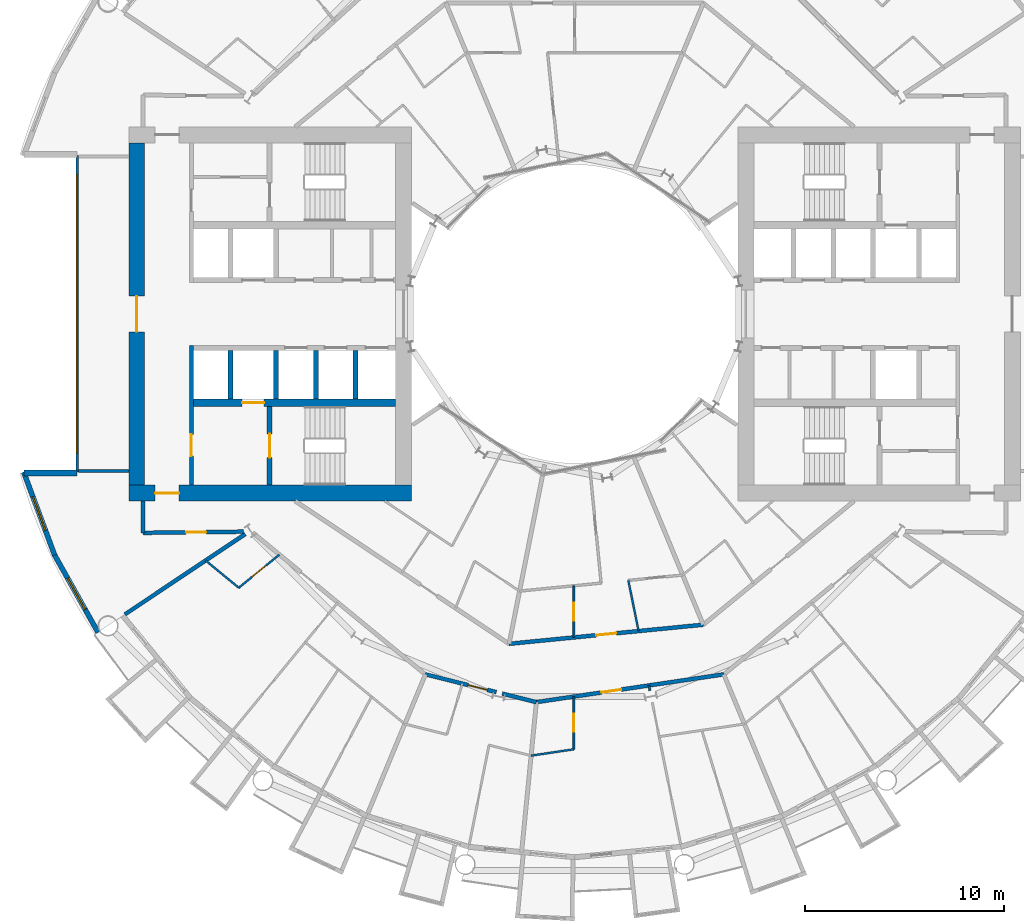
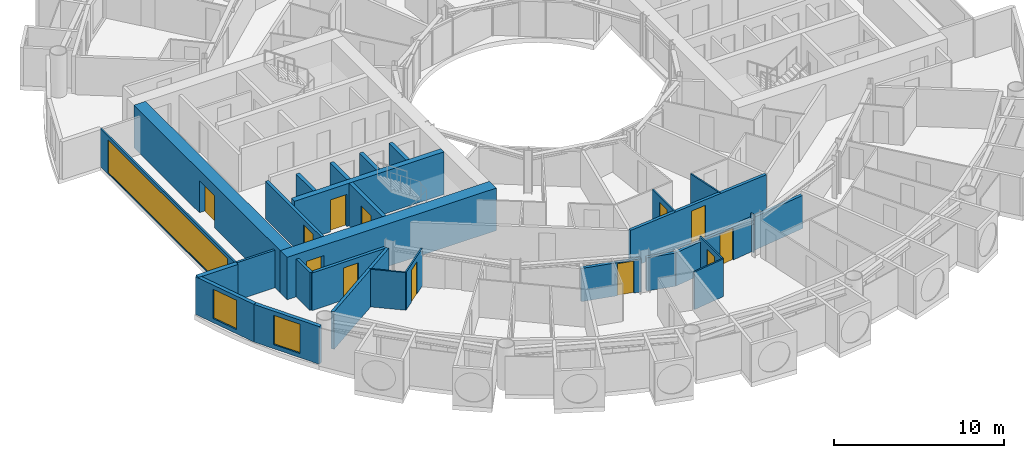
# One storey, part 14 of 26: 28 walls, 12 doors, 3 windows, 15 openings.
"""IFC4 building model written with IfcOpenShell, lengths in metres."""

from ifc_helpers import new_model, si_unit, direction, frame, frame_2d, origin, place, context, subcontext, project, spatial, rectangle, extrude, material, layer, layer_set, type_object, element, fill, save


model = new_model("IFC4")

# Units and contexts
model_context = context("Model", 3, precision=1e-05, world=origin(), true_north=direction((0.0, 1.0)))
body_context = subcontext(model_context, "Body", "Model", "MODEL_VIEW")
ifc_project = project(units=[si_unit("LENGTHUNIT", "METRE"), si_unit("AREAUNIT", "SQUARE_METRE"), si_unit("VOLUMEUNIT", "CUBIC_METRE"), si_unit("PLANEANGLEUNIT", "RADIAN"), si_unit("MASSUNIT", "GRAM", prefix="KILO")], contexts=[model_context])

# Site, building, storey
site_placement = place(None, origin())
site = spatial("IfcSite", under=ifc_project, at=site_placement, CompositionType="ELEMENT")
building_placement = place(site_placement, origin())
building = spatial("IfcBuilding", under=site, at=building_placement, Name="Maasbend Ring Residences", CompositionType="ELEMENT")
storey_placement = place(building_placement, frame((0.0, 0.0, 35.0)))
storey = spatial("IfcBuildingStorey", under=building, at=storey_placement, Name="L09", CompositionType="ELEMENT", Elevation=35.0)

# Wall, opening, door
ifc_material_1 = material(Name="Concrete C70/85", Category="concrete")
ifc_layer_1 = layer(ifc_material_1, 0.25)
ifc_layer_set_1 = layer_set([ifc_layer_1], Name="Concrete C70/85")
wall_type_1 = type_object("IfcWallType", Name="CORE WALL 250 C70/85", PredefinedType="SHEAR", material=ifc_layer_set_1)
wall_1_placement = place(storey_placement, frame((-15.324951171875, -4.64990234375, 0.0), z_axis=(0.0, 0.0, 1.0), x_axis=(0.0, -1.0, 0.0)))
wall_1 = element("IfcWall", 1, at=wall_1_placement, inside=storey, type_object=wall_type_1, Name="L09 core W wall STEN", PredefinedType="SHEAR", context=body_context, shape_type="SweptSolid", body=[
    extrude(rectangle(XDim=3.9501953125, YDim=0.25, at=frame_2d((1.97509765625, 0.0))), origin(), (0.0, 0.0, 1.0), 3.050048828125),
])
opening_1_placement = place(wall_1_placement, frame((1.375, 0.0, 0.0)))
opening_1 = element("IfcOpeningElement", 2, at=opening_1_placement, cuts=wall_1, Name="Opening D-W0910", PredefinedType="OPENING", context=body_context, shape_type="SweptSolid", body=[
    extrude(rectangle(XDim=1.199951171875, YDim=2.300048828125, at=frame_2d((0.60009765625, 1.14990234375))), frame((0.0, 0.135009765625, 0.0), z_axis=(0.0, -1.0, 0.0), x_axis=(1.0, 0.0, 0.0)), (0.0, 0.0, 1.0), 0.27001953125),
])
ifc_material_2 = material(Name="Steel, powder coated", Category="steel")
door_type_1 = type_object("IfcDoorType", Name="STAIR DOOR 1200 X 2300 FD60", OperationType="NOTDEFINED", PredefinedType="DOOR", material=ifc_material_2)
door_1_placement = place(opening_1_placement, origin())
door_1 = element("IfcDoor", 3, at=door_1_placement, inside=storey, type_object=door_type_1, Name="Stair door ST-W L09", OperationType="SINGLE_SWING_LEFT", OverallHeight=2.300048828125, OverallWidth=1.199951171875, PredefinedType="DOOR", context=body_context, shape_type="SweptSolid", body=[
    extrude(rectangle(XDim=1.199951171875, YDim=2.300048828125, at=frame_2d((0.60009765625, 1.14990234375))), frame((0.0, 0.02490234375, 0.0), z_axis=(0.0, -1.0, 0.0), x_axis=(1.0, 0.0, 0.0)), (0.0, 0.0, 1.0), 0.050048828125),
])
fill(opening_1, door_1)

ifc_material_3 = material(Name="Concrete C70/85", Category="concrete")
ifc_layer_2 = layer(ifc_material_3, 0.375)
ifc_layer_set_2 = layer_set([ifc_layer_2], Name="Concrete C70/85")
wall_type_2 = type_object("IfcWallType", Name="CORE WALL 375 C70/85", PredefinedType="SHEAR", material=ifc_layer_set_2)
wall_2_placement = place(storey_placement, frame((-9.0, -4.46240234375, 0.0), z_axis=(0.0, 0.0, 1.0), x_axis=(-1.0, 0.0, 0.0)))
wall_2 = element("IfcWall", 4, at=wall_2_placement, inside=storey, type_object=wall_type_2, Name="L09 core W wall BN", PredefinedType="SHEAR", context=body_context, shape_type="SweptSolid", body=[
    extrude(rectangle(XDim=10.14990234375, YDim=0.375, at=frame_2d((5.074951171875, 0.0))), origin(), (0.0, 0.0, 1.0), 3.050048828125),
])
opening_2_placement = place(wall_2_placement, frame((6.60009765625, 0.0, 0.0)))
opening_2 = element("IfcOpeningElement", 5, at=opening_2_placement, cuts=wall_2, Name="Opening LD-W0904", PredefinedType="OPENING", context=body_context, shape_type="SweptSolid", body=[
    extrude(rectangle(XDim=1.10009765625, YDim=2.300048828125, at=frame_2d((0.550048828125, 1.14990234375))), frame((0.0, 0.197509765625, 0.0), z_axis=(0.0, -1.0, 0.0), x_axis=(1.0, 0.0, 0.0)), (0.0, 0.0, 1.0), 0.39501953125),
])
ifc_material_4 = material(Name="Stainless steel 316", Category="steel")
door_type_2 = type_object("IfcDoorType", Name="LANDING DOOR 1100 X 2300 FD60", OperationType="DOUBLE_DOOR_SLIDING", PredefinedType="DOOR", material=ifc_material_4)
door_2_placement = place(opening_2_placement, origin())
door_2 = element("IfcDoor", 6, at=door_2_placement, inside=storey, type_object=door_type_2, Name="Landing door FF-W L09", OperationType="DOUBLE_DOOR_SLIDING", OverallHeight=2.300048828125, OverallWidth=1.10009765625, PredefinedType="DOOR", context=body_context, shape_type="SweptSolid", body=[
    extrude(rectangle(XDim=1.10009765625, YDim=2.300048828125, at=frame_2d((0.550048828125, 1.14990234375))), frame((0.0, 0.02490234375, 0.0), z_axis=(0.0, -1.0, 0.0), x_axis=(1.0, 0.0, 0.0)), (0.0, 0.0, 1.0), 0.050048828125),
])
fill(opening_2, door_2)

ifc_material_5 = material(Name="Concrete C70/85", Category="concrete")
ifc_layer_3 = layer(ifc_material_5, 0.800048828125)
ifc_layer_set_3 = layer_set([ifc_layer_3], Name="Concrete C70/85")
wall_type_3 = type_object("IfcWallType", Name="CORE WALL 800 C70/85", PredefinedType="SHEAR", material=ifc_layer_set_3)
wall_3_placement = place(storey_placement, frame((-22.39990234375, -9.0, 0.0), z_axis=(0.0, 0.0, 1.0), x_axis=(1.0, 0.0, 0.0)))
wall_3 = element("IfcWall", 7, at=wall_3_placement, inside=storey, type_object=wall_type_3, Name="L09 core W wall PN", PredefinedType="SHEAR", context=body_context, shape_type="SweptSolid", body=[
    extrude(rectangle(XDim=14.199951171875, YDim=0.800048828125, at=frame_2d((7.10009765625, 0.0))), origin(), (0.0, 0.0, 1.0), 3.050048828125),
])
opening_3_placement = place(wall_3_placement, frame((1.324951171875, 0.0, 0.0)))
opening_3 = element("IfcOpeningElement", 8, at=opening_3_placement, cuts=wall_3, Name="Opening D-W0914", PredefinedType="OPENING", context=body_context, shape_type="SweptSolid", body=[
    extrude(rectangle(XDim=1.199951171875, YDim=2.300048828125, at=frame_2d((0.60009765625, 1.14990234375))), frame((0.0, 0.41015625, 0.0), z_axis=(0.0, -1.0, 0.0), x_axis=(1.0, 0.0, 0.0)), (0.0, 0.0, 1.0), 0.820068359375),
])
ifc_material_6 = material(Name="Steel, powder coated", Category="steel")
door_type_3 = type_object("IfcDoorType", Name="CORRIDOR DOOR 1200 X 2300 FD30S", OperationType="NOTDEFINED", PredefinedType="DOOR", material=ifc_material_6)
door_3_placement = place(opening_3_placement, origin())
door_3 = element("IfcDoor", 9, at=door_3_placement, inside=storey, type_object=door_type_3, Name="Corridor door L09", OperationType="SINGLE_SWING_RIGHT", OverallHeight=2.300048828125, OverallWidth=1.199951171875, PredefinedType="DOOR", context=body_context, shape_type="SweptSolid", body=[
    extrude(rectangle(XDim=1.199951171875, YDim=2.300048828125, at=frame_2d((0.60009765625, 1.14990234375))), frame((0.0, 0.02490234375, 0.0), z_axis=(0.0, -1.0, 0.0), x_axis=(1.0, 0.0, 0.0)), (0.0, 0.0, 1.0), 0.050048828125),
])
fill(opening_3, door_3)

wall_4_placement = place(storey_placement, frame((-22.0, -8.60009765625, 0.0), z_axis=(0.0, 0.0, 1.0), x_axis=(0.0, 1.0, 0.0)))
wall_4 = element("IfcWall", 10, at=wall_4_placement, inside=storey, type_object=wall_type_3, Name="L09 core W wall POUT", PredefinedType="SHEAR", context=body_context, shape_type="SweptSolid", body=[
    extrude(rectangle(XDim=17.2001953125, YDim=0.800048828125, at=frame_2d((8.60009765625, 0.0))), origin(), (0.0, 0.0, 1.0), 3.050048828125),
])
opening_4_placement = place(wall_4_placement, frame((7.699951171875, 0.0, 0.0)))
opening_4 = element("IfcOpeningElement", 11, at=opening_4_placement, cuts=wall_4, Name="Opening D-W0916", PredefinedType="OPENING", context=body_context, shape_type="SweptSolid", body=[
    extrude(rectangle(XDim=1.800048828125, YDim=2.300048828125, at=frame_2d((0.89990234375, 1.14990234375))), frame((0.0, 0.41015625, 0.0), z_axis=(0.0, -1.0, 0.0), x_axis=(1.0, 0.0, 0.0)), (0.0, 0.0, 1.0), 0.820068359375),
])
ifc_material_7 = material(Name="Aluminium frame, clear glass", Category="aluminium")
door_type_4 = type_object("IfcDoorType", Name="ENTRANCE DOOR 1800 X 2300 FD60", OperationType="NOTDEFINED", PredefinedType="DOOR", material=ifc_material_7)
door_4_placement = place(opening_4_placement, origin())
door_4 = element("IfcDoor", 12, at=door_4_placement, inside=storey, type_object=door_type_4, Name="Lobby glazed door L09", OperationType="SINGLE_SWING_LEFT", OverallHeight=2.300048828125, OverallWidth=1.800048828125, PredefinedType="DOOR", context=body_context, shape_type="SweptSolid", body=[
    extrude(rectangle(XDim=1.800048828125, YDim=2.300048828125, at=frame_2d((0.89990234375, 1.14990234375))), frame((0.0, 0.02490234375, 0.0), z_axis=(0.0, -1.0, 0.0), x_axis=(1.0, 0.0, 0.0)), (0.0, 0.0, 1.0), 0.050048828125),
])
fill(opening_4, door_4)

ifc_material_8 = material(Name="Concrete C30/37", Category="concrete")
ifc_layer_4 = layer(ifc_material_8, 0.199951171875)
ifc_layer_set_4 = layer_set([ifc_layer_4], Name="Concrete C30/37")
wall_type_4 = type_object("IfcWallType", Name="CORRIDOR WALL 200 CONCRETE", PredefinedType="PARTITIONING", material=ifc_layer_set_4)
wall_5_placement = place(storey_placement, frame((-7.5009765625, -18.10791015625, 0.0), z_axis=(0.0, 0.0, 1.0), x_axis=(0.970040840928, -0.242941900323, 0.0)))
wall_5 = element("IfcWall", 13, at=wall_5_placement, inside=storey, type_object=wall_type_4, Name="U-L09-w011", PredefinedType="PARTITIONING", context=body_context, shape_type="SweptSolid", body=[
    extrude(rectangle(XDim=3.676025390625, YDim=0.199951171875, at=frame_2d((1.837890625, 0.0))), origin(), (0.0, 0.0, 1.0), 2.3798828125),
])
opening_5_placement = place(wall_5_placement, frame((2.217041015625, 0.0, 0.0)))
opening_5 = element("IfcOpeningElement", 14, at=opening_5_placement, cuts=wall_5, Name="Opening D-0939", PredefinedType="OPENING", context=body_context, shape_type="SweptSolid", body=[
    extrude(rectangle(XDim=1.0, YDim=2.300048828125, at=frame_2d((0.5, 1.14990234375))), frame((0.0, 0.10986328125, 0.0), z_axis=(0.0, -1.0, 0.0), x_axis=(1.0, 0.0, 0.0)), (0.0, 0.0, 1.0), 0.219970703125),
])
ifc_material_9 = material(Name="Timber, fire-rated, painted", Category="wood")
door_type_5 = type_object("IfcDoorType", Name="FLAT ENTRANCE DOOR 1000 X 2300 FIRE-RATED", OperationType="NOTDEFINED", PredefinedType="DOOR", material=ifc_material_9)
door_5_placement = place(opening_5_placement, origin())
door_5 = element("IfcDoor", 15, at=door_5_placement, inside=storey, type_object=door_type_5, Name="D-0939", OperationType="SINGLE_SWING_RIGHT", OverallHeight=2.300048828125, OverallWidth=1.0, PredefinedType="DOOR", context=body_context, shape_type="SweptSolid", body=[
    extrude(rectangle(XDim=1.0, YDim=2.300048828125, at=frame_2d((0.5, 1.14990234375))), frame((0.0, 0.02490234375, 0.0), z_axis=(0.0, -1.0, 0.0), x_axis=(1.0, 0.0, 0.0)), (0.0, 0.0, 1.0), 0.050048828125),
])
fill(opening_5, door_5)

# Wall
wall_6_placement = place(storey_placement, frame((-3.638916015625, -19.075927734375, 0.0), z_axis=(0.0, 0.0, 1.0), x_axis=(0.970053237222, -0.242892397895, 0.0)))
element("IfcWall", 16, at=wall_6_placement, inside=storey, type_object=wall_type_4, Name="U-L09-w012", PredefinedType="PARTITIONING", context=body_context, shape_type="SweptSolid", body=[
    extrude(rectangle(XDim=1.77099609375, YDim=0.199951171875, at=frame_2d((0.885498046875, 0.0))), origin(), (0.0, 0.0, 1.0), 2.3798828125),
])

# Wall, opening, door
wall_7_placement = place(storey_placement, frame((-1.927001953125, -19.506103515625, 0.0), z_axis=(0.0, 0.0, 1.0), x_axis=(0.989181308547, 0.146698121399, 0.0)))
wall_7 = element("IfcWall", 17, at=wall_7_placement, inside=storey, type_object=wall_type_4, Name="U-L09-w013", PredefinedType="PARTITIONING", context=body_context, shape_type="SweptSolid", body=[
    extrude(rectangle(XDim=9.531005859375, YDim=0.199951171875, at=frame_2d((4.765625, 0.0))), origin(), (0.0, 0.0, 1.0), 2.3798828125),
])
opening_6_placement = place(wall_7_placement, frame((3.31591796875, 0.0, 0.0)))
opening_6 = element("IfcOpeningElement", 18, at=opening_6_placement, cuts=wall_7, Name="Opening D-0942", PredefinedType="OPENING", context=body_context, shape_type="SweptSolid", body=[
    extrude(rectangle(XDim=1.0, YDim=2.300048828125, at=frame_2d((0.5, 1.14990234375))), frame((0.0, 0.10986328125, 0.0), z_axis=(0.0, -1.0, 0.0), x_axis=(1.0, 0.0, 0.0)), (0.0, 0.0, 1.0), 0.219970703125),
])
door_6_placement = place(opening_6_placement, origin())
door_6 = element("IfcDoor", 19, at=door_6_placement, inside=storey, type_object=door_type_5, Name="D-0942", OperationType="SINGLE_SWING_LEFT", OverallHeight=2.300048828125, OverallWidth=1.0, PredefinedType="DOOR", context=body_context, shape_type="SweptSolid", body=[
    extrude(rectangle(XDim=1.0, YDim=2.300048828125, at=frame_2d((0.5, 1.14990234375))), frame((0.0, 0.02490234375, 0.0), z_axis=(0.0, -1.0, 0.0), x_axis=(1.0, 0.0, 0.0)), (0.0, 0.0, 1.0), 0.050048828125),
])
fill(opening_6, door_6)

wall_8_placement = place(storey_placement, frame((-3.297119140625, -16.574951171875, 0.0), z_axis=(0.0, 0.0, 1.0), x_axis=(0.995201860711, 0.097843019361, 0.0)))
wall_8 = element("IfcWall", 20, at=wall_8_placement, inside=storey, type_object=wall_type_4, Name="U-L09-w016", PredefinedType="PARTITIONING", context=body_context, shape_type="SweptSolid", body=[
    extrude(rectangle(XDim=9.811279296875, YDim=0.199951171875, at=frame_2d((4.90576171875, 0.0))), origin(), (0.0, 0.0, 1.0), 2.699951171875),
])
opening_7_placement = place(wall_8_placement, frame((4.406005859375, 0.0, 0.0)))
opening_7 = element("IfcOpeningElement", 21, at=opening_7_placement, cuts=wall_8, Name="Opening D-0957", PredefinedType="OPENING", context=body_context, shape_type="SweptSolid", body=[
    extrude(rectangle(XDim=1.0, YDim=2.300048828125, at=frame_2d((0.5, 1.14990234375))), frame((0.0, 0.10986328125, 0.0), z_axis=(0.0, -1.0, 0.0), x_axis=(1.0, 0.0, 0.0)), (0.0, 0.0, 1.0), 0.219970703125),
])
door_7_placement = place(opening_7_placement, origin())
door_7 = element("IfcDoor", 22, at=door_7_placement, inside=storey, type_object=door_type_5, Name="D-0957", OperationType="SINGLE_SWING_RIGHT", OverallHeight=2.300048828125, OverallWidth=1.0, PredefinedType="DOOR", context=body_context, shape_type="SweptSolid", body=[
    extrude(rectangle(XDim=1.0, YDim=2.300048828125, at=frame_2d((0.5, 1.14990234375))), frame((0.0, 0.02490234375, 0.0), z_axis=(0.0, -1.0, 0.0), x_axis=(1.0, 0.0, 0.0)), (0.0, 0.0, 1.0), 0.050048828125),
])
fill(opening_7, door_7)

wall_9_placement = place(storey_placement, frame((-21.675048828125, -11.0, 0.0), z_axis=(0.0, 0.0, 1.0), x_axis=(0.999928980998, 0.011917758204, 0.0)))
wall_9 = element("IfcWall", 23, at=wall_9_placement, inside=storey, type_object=wall_type_4, Name="U-L09-w025", PredefinedType="PARTITIONING", context=body_context, shape_type="SweptSolid", body=[
    extrude(rectangle(XDim=5.039306640625, YDim=0.199951171875, at=frame_2d((2.51953125, 0.0))), origin(), (0.0, 0.0, 1.0), 2.699951171875),
])
opening_8_placement = place(wall_9_placement, frame((2.154052734375, 0.0, 0.0)))
opening_8 = element("IfcOpeningElement", 24, at=opening_8_placement, cuts=wall_9, Name="Opening D-0965", PredefinedType="OPENING", context=body_context, shape_type="SweptSolid", body=[
    extrude(rectangle(XDim=1.0, YDim=2.300048828125, at=frame_2d((0.5, 1.14990234375))), frame((0.0, 0.10986328125, 0.0), z_axis=(0.0, -1.0, 0.0), x_axis=(1.0, 0.0, 0.0)), (0.0, 0.0, 1.0), 0.219970703125),
])
ifc_material_10 = material(Name="Timber, painted", Category="wood")
door_type_6 = type_object("IfcDoorType", Name="ROOM DOOR 1000 X 2300", OperationType="NOTDEFINED", PredefinedType="DOOR", material=ifc_material_10)
door_8_placement = place(opening_8_placement, origin())
door_8 = element("IfcDoor", 25, at=door_8_placement, inside=storey, type_object=door_type_6, Name="D-0965", OperationType="SINGLE_SWING_RIGHT", OverallHeight=2.300048828125, OverallWidth=1.0, PredefinedType="DOOR", context=body_context, shape_type="SweptSolid", body=[
    extrude(rectangle(XDim=1.0, YDim=2.300048828125, at=frame_2d((0.5, 1.14990234375))), frame((0.0, 0.02490234375, 0.0), z_axis=(0.0, -1.0, 0.0), x_axis=(1.0, 0.0, 0.0)), (0.0, 0.0, 1.0), 0.050048828125),
])
fill(opening_8, door_8)

# Wall
wall_10_placement = place(storey_placement, frame((-21.675048828125, -11.0, 0.0), z_axis=(0.0, 0.0, 1.0), x_axis=(0.0, 1.0, 0.0)))
element("IfcWall", 26, at=wall_10_placement, inside=storey, type_object=wall_type_4, Name="U-L09-w115", PredefinedType="PARTITIONING", context=body_context, shape_type="SweptSolid", body=[
    extrude(rectangle(XDim=1.60009765625, YDim=0.199951171875, at=frame_2d((0.800048828125, 0.0))), origin(), (0.0, 0.0, 1.0), 2.699951171875),
])

# Wall, opening, window
ifc_material_11 = material(Name="Aluminium clad insulated panel", Category="aluminium")
ifc_layer_5 = layer(ifc_material_11, 0.25)
ifc_layer_set_5 = layer_set([ifc_layer_5], Name="EW-HORN")
wall_type_5 = type_object("IfcWallType", Name="EW-HORN", PredefinedType="SOLIDWALL", material=ifc_layer_set_5)
wall_11_placement = place(storey_placement, frame((-27.681884765625, -7.945068359375, 0.0), z_axis=(0.0, 0.0, 1.0), x_axis=(0.349247811493, -0.937030397675, 0.0)))
wall_11 = element("IfcWall", 27, at=wall_11_placement, inside=storey, type_object=wall_type_5, Name="Horn wall 3.1", PredefinedType="SOLIDWALL", context=body_context, shape_type="SweptSolid", body=[
    extrude(rectangle(XDim=4.4521484375, YDim=0.25, at=frame_2d((2.22607421875, 0.0))), origin(), (0.0, 0.0, 1.0), 2.699951171875),
])
opening_9_placement = place(wall_11_placement, frame((1.32666015625, 0.0, 0.300048828125)))
opening_9 = element("IfcOpeningElement", 28, at=opening_9_placement, cuts=wall_11, Name="Opening W-BX", PredefinedType="OPENING", context=body_context, shape_type="SweptSolid", body=[
    extrude(rectangle(XDim=1.800048828125, YDim=2.10009765625, at=frame_2d((0.89990234375, 1.050048828125))), frame((0.0, 0.135009765625, 0.0), z_axis=(0.0, -1.0, 0.0), x_axis=(1.0, 0.0, 0.0)), (0.0, 0.0, 1.0), 0.27001953125),
])
ifc_material_12 = material(Name="Aluminium and clear glass", Category="aluminium")
window_type_1 = type_object("IfcWindowType", Name="W-BX", PartitioningType="DOUBLE_PANEL_VERTICAL", PredefinedType="WINDOW", material=ifc_material_12)
window_1_placement = place(opening_9_placement, origin())
window_1 = element("IfcWindow", 29, at=window_1_placement, inside=storey, type_object=window_type_1, Name="Horn window 3.1", OverallHeight=2.10009765625, OverallWidth=1.800048828125, PartitioningType="SINGLE_PANEL", PredefinedType="WINDOW", context=body_context, shape_type="SweptSolid", body=[
    extrude(rectangle(XDim=1.800048828125, YDim=2.10009765625, at=frame_2d((0.89990234375, 1.050048828125))), frame((0.0, 0.030029296875, 0.0), z_axis=(0.0, -1.0, 0.0), x_axis=(1.0, 0.0, 0.0)), (0.0, 0.0, 1.0), 0.06005859375),
])
fill(opening_9, window_1)

wall_12_placement = place(storey_placement, frame((-26.126953125, -12.116943359375, 0.0), z_axis=(0.0, 0.0, 1.0), x_axis=(0.489696356642, -0.871893042919, 0.0)))
wall_12 = element("IfcWall", 30, at=wall_12_placement, inside=storey, type_object=wall_type_5, Name="Horn wall 3.2", PredefinedType="SOLIDWALL", context=body_context, shape_type="SweptSolid", body=[
    extrude(rectangle(XDim=4.45361328125, YDim=0.25, at=frame_2d((2.226806640625, 0.0))), origin(), (0.0, 0.0, 1.0), 2.699951171875),
])
opening_10_placement = place(wall_12_placement, frame((1.32666015625, 0.0, 0.300048828125)))
opening_10 = element("IfcOpeningElement", 31, at=opening_10_placement, cuts=wall_12, Name="Opening W-BX", PredefinedType="OPENING", context=body_context, shape_type="SweptSolid", body=[
    extrude(rectangle(XDim=1.800048828125, YDim=2.10009765625, at=frame_2d((0.89990234375, 1.050048828125))), frame((0.0, 0.135009765625, 0.0), z_axis=(0.0, -1.0, 0.0), x_axis=(1.0, 0.0, 0.0)), (0.0, 0.0, 1.0), 0.27001953125),
])
window_2_placement = place(opening_10_placement, origin())
window_2 = element("IfcWindow", 32, at=window_2_placement, inside=storey, type_object=window_type_1, Name="Horn window 3.2", OverallHeight=2.10009765625, OverallWidth=1.800048828125, PartitioningType="SINGLE_PANEL", PredefinedType="WINDOW", context=body_context, shape_type="SweptSolid", body=[
    extrude(rectangle(XDim=1.800048828125, YDim=2.10009765625, at=frame_2d((0.89990234375, 1.050048828125))), frame((0.0, 0.030029296875, 0.0), z_axis=(0.0, -1.0, 0.0), x_axis=(1.0, 0.0, 0.0)), (0.0, 0.0, 1.0), 0.06005859375),
])
fill(opening_10, window_2)

# Wall
ifc_material_13 = material(Name="Aluminium clad insulated panel", Category="aluminium")
ifc_layer_6 = layer(ifc_material_13, 0.300048828125)
ifc_layer_set_6 = layer_set([ifc_layer_6], Name="EW-RET")
wall_type_6 = type_object("IfcWallType", Name="EW-RET", PredefinedType="SOLIDWALL", material=ifc_layer_set_6)
wall_13_placement = place(storey_placement, frame((-25.0, -8.0, 0.0), z_axis=(0.0, 0.0, 1.0), x_axis=(-1.0, 0.0, 0.0)))
element("IfcWall", 33, at=wall_13_placement, inside=storey, type_object=wall_type_6, Name="Notch return wall west south", PredefinedType="SOLIDWALL", context=body_context, shape_type="SweptSolid", body=[
    extrude(rectangle(XDim=2.6669921875, YDim=0.300048828125, at=frame_2d((1.33349609375, 0.0))), origin(), (0.0, 0.0, 1.0), 2.699951171875),
])

# Wall, opening, window
ifc_material_14 = material(Name="Aluminium frame and clear glass", Category="aluminium")
ifc_layer_7 = layer(ifc_material_14, 0.1201171875)
ifc_layer_set_7 = layer_set([ifc_layer_7], Name="GLAZED SCREEN WALL 120 EI 60")
wall_type_7 = type_object("IfcWallType", Name="GLAZED SCREEN WALL 120 EI 60", PredefinedType="PARTITIONING", material=ifc_layer_set_7)
wall_14_placement = place(storey_placement, frame((-25.0, 7.949951171875, 0.0), z_axis=(0.0, 0.0, 1.0), x_axis=(0.0, -1.0, 0.0)))
wall_14 = element("IfcWall", 34, at=wall_14_placement, inside=storey, type_object=wall_type_7, Name="L09 core W wall FACE", PredefinedType="PARTITIONING", context=body_context, shape_type="SweptSolid", body=[
    extrude(rectangle(XDim=15.89990234375, YDim=0.1201171875, at=frame_2d((7.949951171875, 0.0))), origin(), (0.0, 0.0, 1.0), 2.699951171875),
])
opening_11_placement = place(wall_14_placement, frame((0.949951171875, 0.0, 0.10009765625)))
opening_11 = element("IfcOpeningElement", 35, at=opening_11_placement, cuts=wall_14, Name="Opening W-W0902", PredefinedType="OPENING", context=body_context, shape_type="SweptSolid", body=[
    extrude(rectangle(XDim=14.0, YDim=2.35009765625, at=frame_2d((7.0, 1.175048828125))), frame((0.0, 0.070068359375, 0.0), z_axis=(0.0, -1.0, 0.0), x_axis=(1.0, 0.0, 0.0)), (0.0, 0.0, 1.0), 0.14013671875),
])
ifc_material_15 = material(Name="Aluminium frame and clear glass", Category="aluminium")
window_type_2 = type_object("IfcWindowType", Name="FIXED WINDOW 14000 X 2350", PartitioningType="SINGLE_PANEL", PredefinedType="WINDOW", material=ifc_material_15)
window_3_placement = place(opening_11_placement, origin())
window_3 = element("IfcWindow", 36, at=window_3_placement, inside=storey, type_object=window_type_2, Name="Lobby window L09", OverallHeight=2.35009765625, OverallWidth=14.0, PartitioningType="SINGLE_PANEL", PredefinedType="WINDOW", context=body_context, shape_type="SweptSolid", body=[
    extrude(rectangle(XDim=14.0, YDim=2.35009765625, at=frame_2d((7.0, 1.175048828125))), frame((0.0, 0.030029296875, 0.0), z_axis=(0.0, -1.0, 0.0), x_axis=(1.0, 0.0, 0.0)), (0.0, 0.0, 1.0), 0.06005859375),
])
fill(opening_11, window_3)

# Walls
ifc_material_16 = material(Name="Gypsum board on steel studs", Category="steel")
ifc_layer_8 = layer(ifc_material_16, 0.10009765625)
ifc_layer_set_8 = layer_set([ifc_layer_8], Name="PARTITION 100 GYPSUM")
wall_type_8 = type_object("IfcWallType", Name="PARTITION 100 GYPSUM", PredefinedType="PARTITIONING", material=ifc_layer_set_8)
wall_15_placement = place(storey_placement, frame((-2.18603515625, -22.193115234375, 0.0), z_axis=(0.0, 0.0, 1.0), x_axis=(0.989171386505, 0.146765009863, 0.0)))
element("IfcWall", 37, at=wall_15_placement, inside=storey, type_object=wall_type_8, Name="U-L09-w005", PredefinedType="PARTITIONING", context=body_context, shape_type="SweptSolid", body=[
    extrude(rectangle(XDim=2.16748046875, YDim=0.10009765625, at=frame_2d((1.083740234375, 0.0))), origin(), (0.0, 0.0, 1.0), 2.699951171875),
])
wall_16_placement = place(storey_placement, frame((-18.5419921875, -12.388916015625, 0.0), z_axis=(0.0, 0.0, 1.0), x_axis=(0.772948171844, -0.634469166818, 0.0)))
element("IfcWall", 38, at=wall_16_placement, inside=storey, type_object=wall_type_8, Name="U-L09-w007", PredefinedType="PARTITIONING", context=body_context, shape_type="SweptSolid", body=[
    extrude(rectangle(XDim=2.157958984375, YDim=0.10009765625, at=frame_2d((1.0791015625, 0.0))), origin(), (0.0, 0.0, 1.0), 2.699951171875),
])

# Wall, opening, door
wall_17_placement = place(storey_placement, frame((-16.8740234375, -13.758056640625, 0.0), z_axis=(0.0, 0.0, 1.0), x_axis=(0.774979608522, 0.631986239072, 0.0)))
wall_17 = element("IfcWall", 39, at=wall_17_placement, inside=storey, type_object=wall_type_8, Name="U-L09-w034", PredefinedType="PARTITIONING", context=body_context, shape_type="SweptSolid", body=[
    extrude(rectangle(XDim=2.63623046875, YDim=0.10009765625, at=frame_2d((1.318115234375, 0.0))), origin(), (0.0, 0.0, 1.0), 2.699951171875),
])
opening_12_placement = place(wall_17_placement, frame((0.867919921875, 0.0, 0.0)))
opening_12 = element("IfcOpeningElement", 40, at=opening_12_placement, cuts=wall_17, Name="Opening D-0934", PredefinedType="OPENING", context=body_context, shape_type="SweptSolid", body=[
    extrude(rectangle(XDim=0.89990234375, YDim=2.300048828125, at=frame_2d((0.449951171875, 1.14990234375))), frame((0.0, 0.06005859375, 0.0), z_axis=(0.0, -1.0, 0.0), x_axis=(1.0, 0.0, 0.0)), (0.0, 0.0, 1.0), 0.1201171875),
])
ifc_material_17 = material(Name="Timber, painted", Category="wood")
door_type_7 = type_object("IfcDoorType", Name="INTERNAL DOOR 900 X 2300", OperationType="NOTDEFINED", PredefinedType="DOOR", material=ifc_material_17)
door_9_placement = place(opening_12_placement, origin())
door_9 = element("IfcDoor", 41, at=door_9_placement, inside=storey, type_object=door_type_7, Name="D-0934", OperationType="SINGLE_SWING_LEFT", OverallHeight=2.300048828125, OverallWidth=0.89990234375, PredefinedType="DOOR", context=body_context, shape_type="SweptSolid", body=[
    extrude(rectangle(XDim=0.89990234375, YDim=2.300048828125, at=frame_2d((0.449951171875, 1.14990234375))), frame((0.0, 0.02490234375, 0.0), z_axis=(0.0, -1.0, 0.0), x_axis=(1.0, 0.0, 0.0)), (0.0, 0.0, 1.0), 0.050048828125),
])
fill(opening_12, door_9)

wall_18_placement = place(storey_placement, frame((-0.0419921875, -21.875, 0.0), z_axis=(0.0, 0.0, 1.0), x_axis=(0.001843314841, 0.999998301094, 0.0)))
wall_18 = element("IfcWall", 42, at=wall_18_placement, inside=storey, type_object=wall_type_8, Name="U-L09-w058", PredefinedType="PARTITIONING", context=body_context, shape_type="SweptSolid", body=[
    extrude(rectangle(XDim=2.64892578125, YDim=0.10009765625, at=frame_2d((1.324462890625, 0.0))), origin(), (0.0, 0.0, 1.0), 2.699951171875),
])
opening_13_placement = place(wall_18_placement, frame((0.875, 0.0, 0.0)))
opening_13 = element("IfcOpeningElement", 43, at=opening_13_placement, cuts=wall_18, Name="Opening D-0943", PredefinedType="OPENING", context=body_context, shape_type="SweptSolid", body=[
    extrude(rectangle(XDim=0.89990234375, YDim=2.300048828125, at=frame_2d((0.449951171875, 1.14990234375))), frame((0.0, 0.06005859375, 0.0), z_axis=(0.0, -1.0, 0.0), x_axis=(1.0, 0.0, 0.0)), (0.0, 0.0, 1.0), 0.1201171875),
])
door_10_placement = place(opening_13_placement, origin())
door_10 = element("IfcDoor", 44, at=door_10_placement, inside=storey, type_object=door_type_7, Name="D-0943", OperationType="SINGLE_SWING_RIGHT", OverallHeight=2.300048828125, OverallWidth=0.89990234375, PredefinedType="DOOR", context=body_context, shape_type="SweptSolid", body=[
    extrude(rectangle(XDim=0.89990234375, YDim=2.300048828125, at=frame_2d((0.449951171875, 1.14990234375))), frame((0.0, 0.02490234375, 0.0), z_axis=(0.0, -1.0, 0.0), x_axis=(1.0, 0.0, 0.0)), (0.0, 0.0, 1.0), 0.050048828125),
])
fill(opening_13, door_10)

wall_19_placement = place(storey_placement, frame((-0.0419921875, -16.2548828125, 0.0), z_axis=(0.0, 0.0, 1.0), x_axis=(0.00272632248, 0.999996283576, 0.0)))
wall_19 = element("IfcWall", 45, at=wall_19_placement, inside=storey, type_object=wall_type_8, Name="U-L09-w059", PredefinedType="PARTITIONING", context=body_context, shape_type="SweptSolid", body=[
    extrude(rectangle(XDim=2.596923828125, YDim=0.10009765625, at=frame_2d((1.29833984375, 0.0))), origin(), (0.0, 0.0, 1.0), 2.699951171875),
])
opening_14_placement = place(wall_19_placement, frame((0.84912109375, 0.0, 0.0)))
opening_14 = element("IfcOpeningElement", 46, at=opening_14_placement, cuts=wall_19, Name="Opening D-0959", PredefinedType="OPENING", context=body_context, shape_type="SweptSolid", body=[
    extrude(rectangle(XDim=0.89990234375, YDim=2.300048828125, at=frame_2d((0.449951171875, 1.14990234375))), frame((0.0, 0.06005859375, 0.0), z_axis=(0.0, -1.0, 0.0), x_axis=(1.0, 0.0, 0.0)), (0.0, 0.0, 1.0), 0.1201171875),
])
door_11_placement = place(opening_14_placement, origin())
door_11 = element("IfcDoor", 47, at=door_11_placement, inside=storey, type_object=door_type_7, Name="D-0959", OperationType="SINGLE_SWING_RIGHT", OverallHeight=2.300048828125, OverallWidth=0.89990234375, PredefinedType="DOOR", context=body_context, shape_type="SweptSolid", body=[
    extrude(rectangle(XDim=0.89990234375, YDim=2.300048828125, at=frame_2d((0.449951171875, 1.14990234375))), frame((0.0, 0.02490234375, 0.0), z_axis=(0.0, -1.0, 0.0), x_axis=(1.0, 0.0, 0.0)), (0.0, 0.0, 1.0), 0.050048828125),
])
fill(opening_14, door_11)

# Walls
wall_20_placement = place(storey_placement, frame((2.698974609375, -13.388916015625, 0.0), z_axis=(0.0, 0.0, 1.0), x_axis=(0.197923987231, -0.980217371443, 0.0)))
element("IfcWall", 48, at=wall_20_placement, inside=storey, type_object=wall_type_8, Name="U-L09-w064", PredefinedType="PARTITIONING", context=body_context, shape_type="SweptSolid", body=[
    extrude(rectangle(XDim=2.596435546875, YDim=0.10009765625, at=frame_2d((1.29833984375, 0.0))), origin(), (0.0, 0.0, 1.0), 2.699951171875),
])
wall_21_placement = place(storey_placement, frame((3.73193359375, -18.6669921875, 0.0), z_axis=(0.0, 0.0, 1.0), x_axis=(0.197040251839, -0.980395399395, 0.0)))
element("IfcWall", 49, at=wall_21_placement, inside=storey, type_object=wall_type_8, Name="U-L09-w067", PredefinedType="PARTITIONING", context=body_context, shape_type="SweptSolid", body=[
    extrude(rectangle(XDim=0.25390625, YDim=0.10009765625, at=frame_2d((0.126953125, 0.0))), origin(), (0.0, 0.0, 1.0), 2.699951171875),
])
ifc_material_18 = material(Name="Gypsum board on steel studs", Category="steel")
ifc_layer_9 = layer(ifc_material_18, 0.14990234375)
ifc_layer_set_9 = layer_set([ifc_layer_9], Name="PARTITION 150 EI 60")
wall_type_9 = type_object("IfcWallType", Name="PARTITION 150 EI 60", PredefinedType="PARTITIONING", material=ifc_layer_set_9)
wall_22_placement = place(storey_placement, frame((-22.39990234375, -7.89990234375, 0.0), z_axis=(0.0, 0.0, 1.0), x_axis=(-1.0, 0.0, 0.0)))
element("IfcWall", 50, at=wall_22_placement, inside=storey, type_object=wall_type_9, Name="L09 core W wall CITN", PredefinedType="PARTITIONING", context=body_context, shape_type="SweptSolid", body=[
    extrude(rectangle(XDim=2.5400390625, YDim=0.14990234375, at=frame_2d((1.27001953125, 0.0))), origin(), (0.0, 0.0, 1.0), 2.699951171875),
])
ifc_material_19 = material(Name="Concrete C30/37", Category="concrete")
ifc_layer_10 = layer(ifc_material_19, 0.199951171875)
ifc_layer_set_10 = layer_set([ifc_layer_10], Name="Concrete C30/37")
wall_type_10 = type_object("IfcWallType", Name="PARTY WALL 200 CONCRETE", PredefinedType="PARTITIONING", material=ifc_layer_set_10)
wall_23_placement = place(storey_placement, frame((-22.595947265625, -15.096923828125, 0.0), z_axis=(0.0, 0.0, 1.0), x_axis=(0.831610607528, 0.555359160765, 0.0)))
element("IfcWall", 51, at=wall_23_placement, inside=storey, type_object=wall_type_10, Name="U-L09-w029", PredefinedType="PARTITIONING", context=body_context, shape_type="SweptSolid", body=[
    extrude(rectangle(XDim=7.265380859375, YDim=0.199951171875, at=frame_2d((3.6328125, 0.0))), origin(), (0.0, 0.0, 1.0), 2.699951171875),
])

# Wall, opening, door
ifc_material_20 = material(Name="Concrete C30/37", Category="concrete")
ifc_layer_11 = layer(ifc_material_20, 0.199951171875)
ifc_layer_set_11 = layer_set([ifc_layer_11], Name="Concrete C30/37")
wall_type_11 = type_object("IfcWallType", Name="SHAFT WALL 200 EI 120", PredefinedType="SOLIDWALL", material=ifc_layer_set_11)
wall_24_placement = place(storey_placement, frame((-19.25, -1.574951171875, 0.0), z_axis=(0.0, 0.0, 1.0), x_axis=(0.0, -1.0, 0.0)))
wall_24 = element("IfcWall", 52, at=wall_24_placement, inside=storey, type_object=wall_type_11, Name="L09 core W wall ENDN", PredefinedType="SOLIDWALL", context=body_context, shape_type="SweptSolid", body=[
    extrude(rectangle(XDim=7.025146484375, YDim=0.199951171875, at=frame_2d((3.5126953125, 0.0))), origin(), (0.0, 0.0, 1.0), 2.699951171875),
])
opening_15_placement = place(wall_24_placement, frame((4.47509765625, 0.0, 0.0)))
opening_15 = element("IfcOpeningElement", 53, at=opening_15_placement, cuts=wall_24, Name="Opening D-W0912", PredefinedType="OPENING", context=body_context, shape_type="SweptSolid", body=[
    extrude(rectangle(XDim=1.10009765625, YDim=2.300048828125, at=frame_2d((0.550048828125, 1.14990234375))), frame((0.0, 0.10986328125, 0.0), z_axis=(0.0, -1.0, 0.0), x_axis=(1.0, 0.0, 0.0)), (0.0, 0.0, 1.0), 0.219970703125),
])
ifc_material_21 = material(Name="Steel, powder coated", Category="steel")
door_type_8 = type_object("IfcDoorType", Name="LOBBY DOOR 1100 X 2300 FD60", OperationType="NOTDEFINED", PredefinedType="DOOR", material=ifc_material_21)
door_12_placement = place(opening_15_placement, origin())
door_12 = element("IfcDoor", 54, at=door_12_placement, inside=storey, type_object=door_type_8, Name="Lobby door L09", OperationType="SINGLE_SWING_LEFT", OverallHeight=2.300048828125, OverallWidth=1.10009765625, PredefinedType="DOOR", context=body_context, shape_type="SweptSolid", body=[
    extrude(rectangle(XDim=1.10009765625, YDim=2.300048828125, at=frame_2d((0.550048828125, 1.14990234375))), frame((0.0, 0.02490234375, 0.0), z_axis=(0.0, -1.0, 0.0), x_axis=(1.0, 0.0, 0.0)), (0.0, 0.0, 1.0), 0.050048828125),
])
fill(opening_15, door_12)

# Walls
ifc_material_22 = material(Name="Concrete C30/37", Category="concrete")
ifc_layer_12 = layer(ifc_material_22, 0.25)
ifc_layer_set_12 = layer_set([ifc_layer_12], Name="Concrete C30/37")
wall_type_12 = type_object("IfcWallType", Name="SHAFT WALL 250 EI 120", PredefinedType="SOLIDWALL", material=ifc_layer_set_12)
for number, where, z_axis, x_axis, name in (
    (55, (-15.0, -1.824951171875, 0.0), (0.0, 0.0, 1.0), (0.0, -1.0, 0.0), "L09 core W wall D150N"),
    (56, (-17.300048828125, -1.824951171875, 0.0), (0.0, 0.0, 1.0), (0.0, -1.0, 0.0), "L09 core W wall D173N"),
    (57, (-11.0, -1.824951171875, 0.0), (0.0, 0.0, 1.0), (0.0, -1.0, 0.0), "L09 core W wall D110N"),
    (58, (-13.0, -1.824951171875, 0.0), (0.0, 0.0, 1.0), (0.0, -1.0, 0.0), "L09 core W wall D130N"),
):
    element("IfcWall", number, at=place(storey_placement, frame(where, z_axis=z_axis, x_axis=x_axis)), inside=storey, type_object=wall_type_12, Name=name, PredefinedType="SOLIDWALL", context=body_context, shape_type="SweptSolid", body=[
        extrude(rectangle(XDim=2.449951171875, YDim=0.25, at=frame_2d((1.22509765625, 0.0))), origin(), (0.0, 0.0, 1.0), 2.699951171875),
    ])

save(model, "model.ifc")
